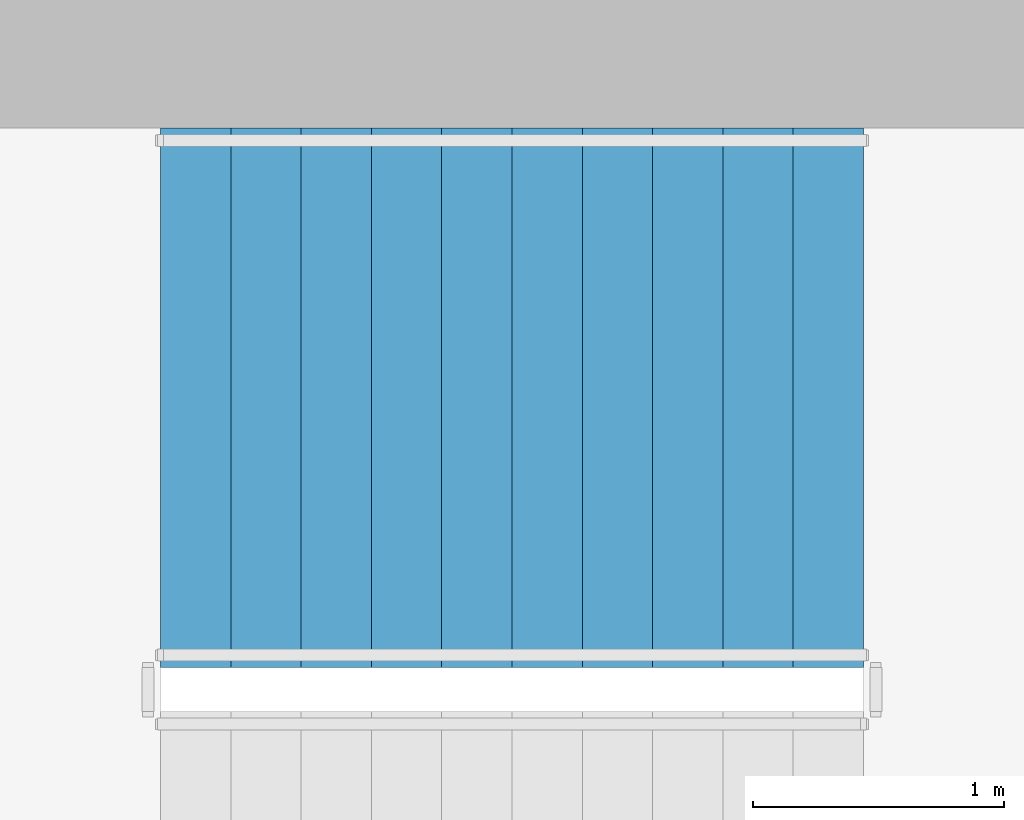
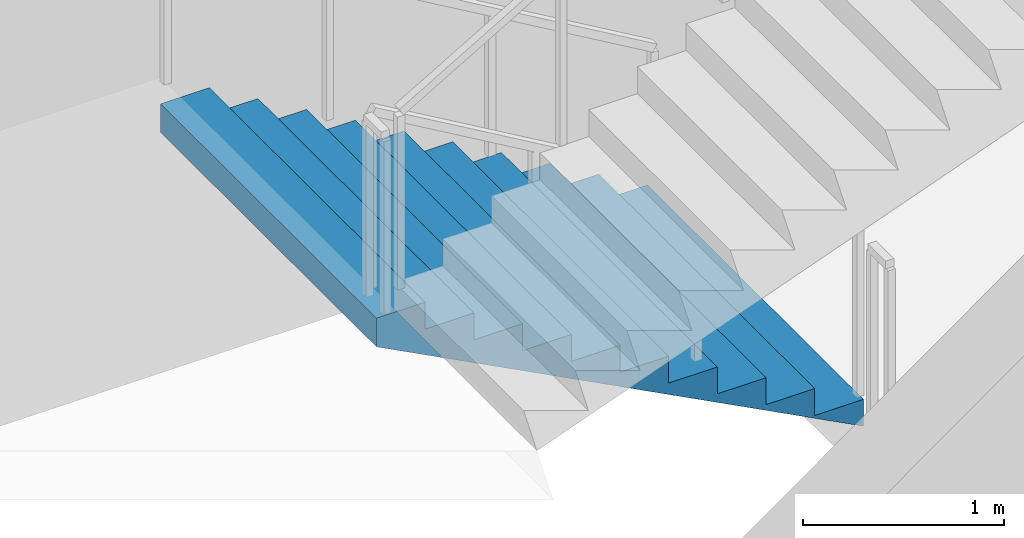
# One storey, part 12 of 20: 1 stair flight, 1 element without a shape of its own.
"""IFC4 building model written with IfcOpenShell, lengths in metres."""

from ifc_helpers import new_model, si_unit, direction, frame, origin, place, context, subcontext, project, spatial, triangles, material, type_object, element, aggregate, save


model = new_model("IFC4")

# Units and contexts
model_context = context("Model", 3, precision=1e-05, world=origin(), true_north=direction((0.0, 1.0)))
body_context = subcontext(model_context, "Body", "Model", "MODEL_VIEW")
ifc_project = project(units=[si_unit("LENGTHUNIT", "METRE"), si_unit("AREAUNIT", "SQUARE_METRE"), si_unit("VOLUMEUNIT", "CUBIC_METRE"), si_unit("PLANEANGLEUNIT", "RADIAN"), si_unit("MASSUNIT", "GRAM", prefix="KILO")], contexts=[model_context])

# Site, building, storey
site_placement = place(None, origin())
site = spatial("IfcSite", under=ifc_project, at=site_placement, CompositionType="ELEMENT")
building_placement = place(site_placement, origin())
building = spatial("IfcBuilding", under=site, at=building_placement, Name="Cypress Arch Tower", CompositionType="ELEMENT")
storey_placement = place(building_placement, frame((0.0, 0.0, 55.5)))
storey = spatial("IfcBuildingStorey", under=building, at=storey_placement, Name="L07", CompositionType="ELEMENT", Elevation=55.5)

# Stair, stair flight
ifc_material_1 = material(Name="Concrete C40/50", Category="concrete")
stair_type = type_object("IfcStairType", Name="Exit stair ES1636-215", PredefinedType="HALF_TURN_STAIR", material=ifc_material_1)
stair_placement = place(storey_placement, origin())
stair = element("IfcStair", 1, at=stair_placement, inside=storey, type_object=stair_type, Name="L07 Exit stair B", PredefinedType="HALF_TURN_STAIR")
ifc_material_2 = material(Name="Concrete C40/50", Category="concrete")
stair_flight_type = type_object("IfcStairFlightType", Name="Exit stair flight ES1636-215", PredefinedType="STRAIGHT", material=ifc_material_2)
stair_flight_placement = place(storey_placement, frame((-22.27490234375, 13.72509765625, 0.0), z_axis=(0.0, 0.0, 1.0), x_axis=(-1.0, 0.0, 0.0)))
stair_flight = element("IfcStairFlight", 2, at=stair_flight_placement, type_object=stair_flight_type, Name="B flight 1", NumberOfRisers=11, NumberOfTreads=10, PredefinedType="STRAIGHT", RiserHeight=0.163636364, TreadLength=0.28, context=body_context, shape_type="Tessellation", body=[
    triangles([(0.0, -1.074951171875, 0.0), (0.000244140625, -1.074951171875, 0.03271484375), (0.00048828125, -1.074951171875, 0.0654296875), (0.00048828125, -1.074951171875, 0.09814453125), (0.000244140625, -1.074951171875, 0.130859375), (0.0, -1.074951171875, 0.16357421875), (0.280029296875, -1.074951171875, 0.16357421875), (0.280029296875, -1.074951171875, 0.327392578125), (0.56005859375, -1.074951171875, 0.327392578125), (0.56005859375, -1.074951171875, 0.490966796875), (0.840087890625, -1.074951171875, 0.490966796875), (0.840087890625, -1.074951171875, 0.654541015625), (1.1201171875, -1.074951171875, 0.654541015625), (1.1201171875, -1.074951171875, 0.818115234375), (1.39990234375, -1.074951171875, 0.818115234375), (1.39990234375, -1.074951171875, 0.98193359375), (1.679931640625, -1.074951171875, 0.98193359375), (1.679931640625, -1.074951171875, 1.1455078125), (1.9599609375, -1.074951171875, 1.1455078125), (1.9599609375, -1.074951171875, 1.30908203125), (2.239990234375, -1.074951171875, 1.30908203125), (2.239990234375, -1.074951171875, 1.47265625), (2.52001953125, -1.074951171875, 1.47265625), (2.52001953125, -1.074951171875, 1.636474609375), (2.800048828125, -1.074951171875, 1.636474609375), (2.7998046875, -1.074951171875, 1.601806640625), (2.799560546875, -1.074951171875, 1.56689453125), (2.799560546875, -1.074951171875, 1.5322265625), (2.7998046875, -1.074951171875, 1.497314453125), (2.800048828125, -1.074951171875, 1.462646484375), (2.800048828125, 1.074951171875, 1.462646484375), (2.7998046875, 1.074951171875, 1.497314453125), (2.799560546875, 1.074951171875, 1.5322265625), (2.799560546875, 1.074951171875, 1.56689453125), (2.7998046875, 1.074951171875, 1.601806640625), (2.800048828125, 1.074951171875, 1.636474609375), (2.52001953125, 1.074951171875, 1.636474609375), (2.52001953125, 1.074951171875, 1.47265625), (2.239990234375, 1.074951171875, 1.47265625), (2.239990234375, 1.074951171875, 1.30908203125), (1.9599609375, 1.074951171875, 1.30908203125), (1.9599609375, 1.074951171875, 1.1455078125), (1.679931640625, 1.074951171875, 1.1455078125), (1.679931640625, 1.074951171875, 0.98193359375), (1.39990234375, 1.074951171875, 0.98193359375), (1.39990234375, 1.074951171875, 0.818115234375), (1.1201171875, 1.074951171875, 0.818115234375), (1.1201171875, 1.074951171875, 0.654541015625), (0.840087890625, 1.074951171875, 0.654541015625), (0.840087890625, 1.074951171875, 0.490966796875), (0.56005859375, 1.074951171875, 0.490966796875), (0.56005859375, 1.074951171875, 0.327392578125), (0.280029296875, 1.074951171875, 0.327392578125), (0.280029296875, 1.074951171875, 0.16357421875), (0.0, 1.074951171875, 0.16357421875), (0.000244140625, 1.074951171875, 0.130859375), (0.00048828125, 1.074951171875, 0.09814453125), (0.00048828125, 1.074951171875, 0.0654296875), (0.000244140625, 1.074951171875, 0.03271484375), (0.0, 1.074951171875, 0.0), (2.7998046875, 0.0, 1.497314453125), (2.800048828125, 0.0, 1.462646484375), (2.799560546875, 0.0, 1.5322265625), (2.799560546875, 0.0, 1.56689453125), (2.7998046875, 0.0, 1.601806640625), (2.800048828125, 0.0, 1.636474609375), (2.52001953125, 0.0, 1.636474609375), (2.52001953125, 0.0, 1.47265625), (2.239990234375, 0.0, 1.47265625), (2.239990234375, 0.0, 1.30908203125), (1.9599609375, 0.0, 1.30908203125), (1.9599609375, 0.0, 1.1455078125), (1.679931640625, 0.0, 1.1455078125), (1.679931640625, 0.0, 0.98193359375), (1.39990234375, 0.0, 0.98193359375), (1.39990234375, 0.0, 0.818115234375), (1.1201171875, 0.0, 0.818115234375), (1.1201171875, 0.0, 0.654541015625), (0.840087890625, 0.0, 0.654541015625), (0.840087890625, 0.0, 0.490966796875), (0.56005859375, 0.0, 0.490966796875), (0.56005859375, 0.0, 0.327392578125), (0.280029296875, 0.0, 0.327392578125), (0.280029296875, 0.0, 0.16357421875), (0.0, 0.0, 0.16357421875), (0.000244140625, 0.0, 0.130859375), (0.00048828125, 0.0, 0.09814453125), (0.00048828125, 0.0, 0.0654296875), (0.000244140625, 0.0, 0.03271484375), (0.0, 0.0, 0.0)], [[30, 29, 24], [29, 28, 24], [28, 27, 24], [27, 26, 24], [26, 25, 24], [17, 16, 15], [9, 8, 7], [15, 14, 13], [23, 22, 21], [21, 20, 19], [19, 18, 17], [13, 12, 11], [11, 10, 9], [6, 5, 7], [5, 4, 7], [4, 3, 7], [3, 2, 7], [2, 1, 7], [30, 24, 23], [30, 23, 21], [30, 21, 19], [30, 19, 17], [30, 17, 15], [30, 15, 13], [30, 13, 11], [30, 11, 9], [30, 9, 7], [30, 7, 1], [31, 37, 32], [32, 37, 33], [33, 37, 34], [34, 37, 35], [35, 37, 36], [44, 46, 45], [52, 54, 53], [46, 48, 47], [38, 40, 39], [40, 42, 41], [42, 44, 43], [48, 50, 49], [50, 52, 51], [55, 54, 56], [56, 54, 57], [57, 54, 58], [58, 54, 59], [59, 54, 60], [31, 38, 37], [31, 40, 38], [31, 42, 40], [31, 44, 42], [31, 46, 44], [31, 48, 46], [31, 50, 48], [31, 52, 50], [31, 54, 52], [31, 60, 54], [62, 61, 29], [62, 29, 30], [31, 32, 61], [31, 61, 62], [61, 63, 28], [61, 28, 29], [32, 33, 63], [32, 63, 61], [63, 64, 27], [63, 27, 28], [33, 34, 64], [33, 64, 63], [64, 65, 26], [64, 26, 27], [34, 35, 65], [34, 65, 64], [65, 66, 25], [65, 25, 26], [35, 36, 66], [35, 66, 65], [66, 67, 24], [66, 24, 25], [36, 37, 67], [36, 67, 66], [67, 68, 23], [67, 23, 24], [37, 38, 68], [37, 68, 67], [68, 69, 22], [68, 22, 23], [38, 39, 69], [38, 69, 68], [69, 70, 21], [69, 21, 22], [39, 40, 70], [39, 70, 69], [70, 71, 20], [70, 20, 21], [40, 41, 71], [40, 71, 70], [71, 72, 19], [71, 19, 20], [41, 42, 72], [41, 72, 71], [72, 73, 18], [72, 18, 19], [42, 43, 73], [42, 73, 72], [73, 74, 17], [73, 17, 18], [43, 44, 74], [43, 74, 73], [74, 75, 16], [74, 16, 17], [44, 45, 75], [44, 75, 74], [75, 76, 15], [75, 15, 16], [45, 46, 76], [45, 76, 75], [76, 77, 14], [76, 14, 15], [46, 47, 77], [46, 77, 76], [77, 78, 13], [77, 13, 14], [47, 48, 78], [47, 78, 77], [78, 79, 12], [78, 12, 13], [48, 49, 79], [48, 79, 78], [79, 80, 11], [79, 11, 12], [49, 50, 80], [49, 80, 79], [80, 81, 10], [80, 10, 11], [50, 51, 81], [50, 81, 80], [81, 82, 9], [81, 9, 10], [51, 52, 82], [51, 82, 81], [82, 83, 8], [82, 8, 9], [52, 53, 83], [52, 83, 82], [83, 84, 7], [83, 7, 8], [53, 54, 84], [53, 84, 83], [84, 85, 6], [84, 6, 7], [54, 55, 85], [54, 85, 84], [85, 86, 5], [85, 5, 6], [55, 56, 86], [55, 86, 85], [86, 87, 4], [86, 4, 5], [56, 57, 87], [56, 87, 86], [87, 88, 3], [87, 3, 4], [57, 58, 88], [57, 88, 87], [88, 89, 2], [88, 2, 3], [58, 59, 89], [58, 89, 88], [89, 90, 1], [89, 1, 2], [59, 60, 90], [59, 90, 89], [90, 62, 30], [90, 30, 1], [60, 31, 62], [60, 62, 90]], closed=True),
])
aggregate(stair, [stair_flight])

save(model, "model.ifc")
